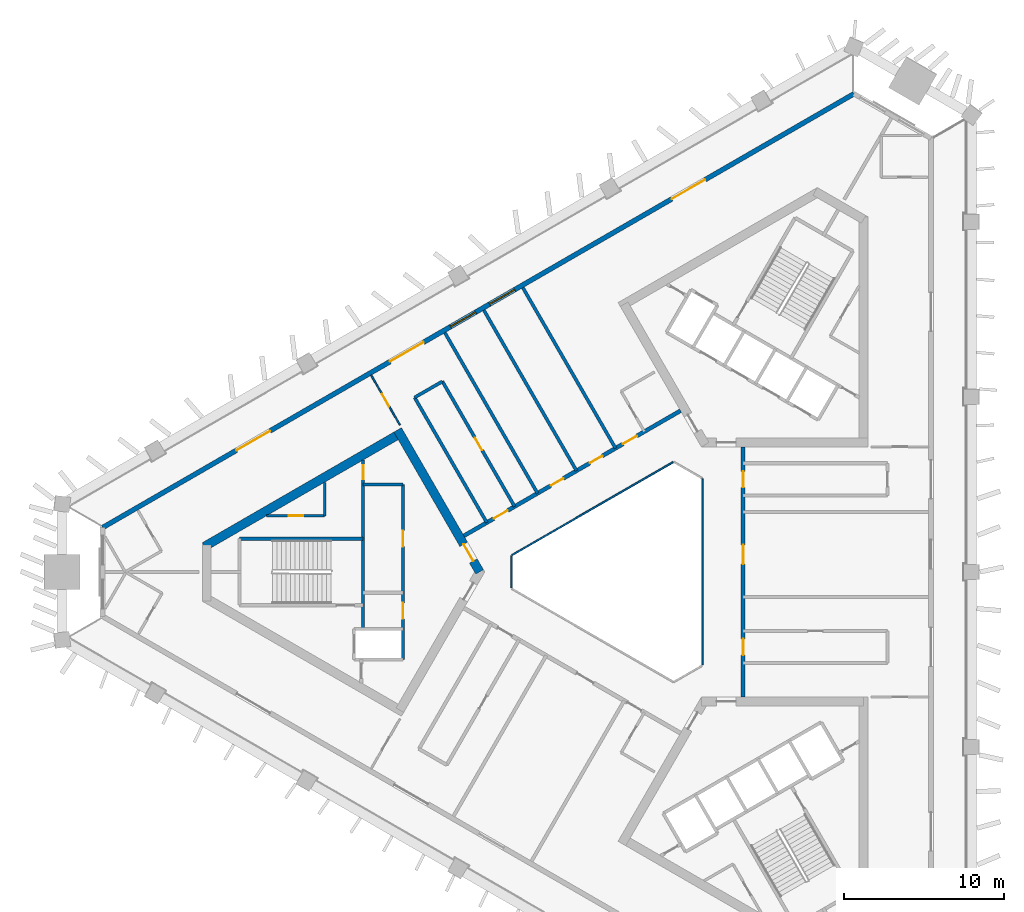
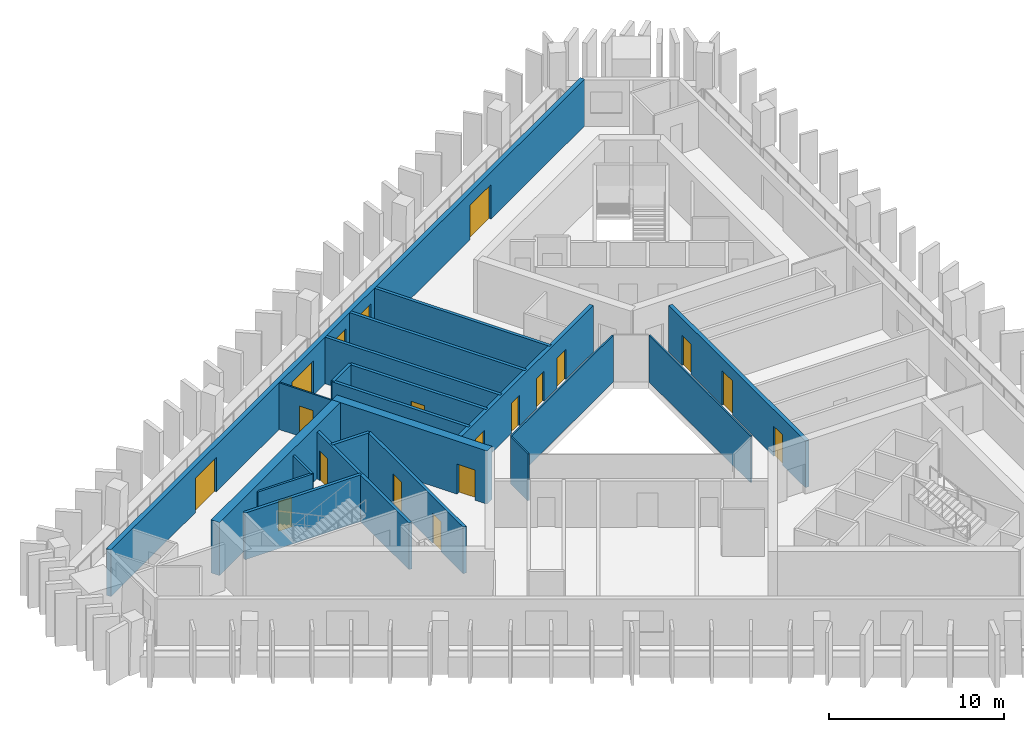
# One storey, part 4 of 10: 21 walls, 17 doors, 2 windows, 19 openings.
"""IFC4 building model written with IfcOpenShell, lengths in metres."""

from ifc_helpers import new_model, si_unit, direction, frame, frame_2d, origin, place, context, subcontext, project, spatial, rectangle, extrude, material, layer, layer_set, type_object, element, fill, save


model = new_model("IFC4")

# Units and contexts
model_context = context("Model", 3, precision=1e-05, world=origin(), true_north=direction((0.0, 1.0)))
body_context = subcontext(model_context, "Body", "Model", "MODEL_VIEW")
ifc_project = project(units=[si_unit("LENGTHUNIT", "METRE"), si_unit("AREAUNIT", "SQUARE_METRE"), si_unit("VOLUMEUNIT", "CUBIC_METRE"), si_unit("PLANEANGLEUNIT", "RADIAN"), si_unit("MASSUNIT", "GRAM", prefix="KILO")], contexts=[model_context])

# Site, building, storey
site_placement = place(None, origin())
site = spatial("IfcSite", under=ifc_project, at=site_placement, CompositionType="ELEMENT")
building_placement = place(site_placement, origin())
building = spatial("IfcBuilding", under=site, at=building_placement, Name="Jabali Bay Hotel Tower and Convention Centre", CompositionType="ELEMENT")
storey_placement = place(building_placement, frame((0.0, 0.0, 163.699951171875)))
storey = spatial("IfcBuildingStorey", under=building, at=storey_placement, Name="L39", CompositionType="ELEMENT", Elevation=163.699951171875)

# Walls
ifc_material_1 = material(Name="Fire-resistant glazing", Category="glass")
ifc_layer_1 = layer(ifc_material_1, 0.10009765625)
ifc_layer_set_1 = layer_set([ifc_layer_1], Name="Fire-resistant glazing")
wall_type_1 = type_object("IfcWallType", Name="Atrium glazed screen 100", PredefinedType="PARTITIONING", material=ifc_layer_set_1)
for number, where, z_axis, x_axis, name in (
    (1, (79.56005859375, 74.205810546875, 0.0), (0.0, 0.0, 1.0), (0.0, 1.0, 0.0), "Atrium screen 1 L39"),
    (2, (77.738037109375, 86.84619140625, 0.0), (0.0, 0.0, 1.0), (-0.866026658274, -0.499997827154, 0.0), "Atrium screen 3 L39"),
):
    element("IfcWall", number, at=place(storey_placement, frame(where, z_axis=z_axis, x_axis=x_axis)), inside=storey, type_object=wall_type_1, Name=name, PredefinedType="PARTITIONING", context=body_context, shape_type="SweptSolid", body=[
        extrude(rectangle(XDim=11.58837890625, YDim=0.10009765625, at=frame_2d((5.794189453125, 0.0))), origin(), (0.0, 0.0, 1.0), 3.25),
    ])
wall_1_placement = place(storey_placement, frame((67.672119140625, 81.0, 0.0), z_axis=(0.0, 0.0, 1.0), x_axis=(0.0, -1.0, 0.0)))
element("IfcWall", 3, at=wall_1_placement, inside=storey, type_object=wall_type_1, Name="Atrium screen 4 L39", PredefinedType="PARTITIONING", context=body_context, shape_type="SweptSolid", body=[
    extrude(rectangle(XDim=2.0, YDim=0.10009765625, at=frame_2d((1.0, 0.0))), origin(), (0.0, 0.0, 1.0), 3.25),
])

# Wall, opening, door
ifc_material_2 = material(Name="Fire-rated board partition")
ifc_layer_2 = layer(ifc_material_2, 0.14990234375)
ifc_layer_set_2 = layer_set([ifc_layer_2], Name="Fire-rated board partition")
wall_type_2 = type_object("IfcWallType", Name="Core room partition 150", PredefinedType="PARTITIONING", material=ifc_layer_set_2)
wall_2_placement = place(storey_placement, frame((56.02001953125, 83.5, 0.0), z_axis=(0.0, 0.0, 1.0), x_axis=(-1.0, 0.0, 0.0)))
wall_2 = element("IfcWall", 4, at=wall_2_placement, inside=storey, type_object=wall_type_2, Name="Core wall 0.1 L39", PredefinedType="PARTITIONING", context=body_context, shape_type="SweptSolid", body=[
    extrude(rectangle(XDim=3.617919921875, YDim=0.14990234375, at=frame_2d((1.80908203125, 0.0))), origin(), (0.0, 0.0, 1.0), 3.25),
])
opening_1_placement = place(wall_2_placement, frame((1.33154296875, 0.0, 0.0)))
opening_1 = element("IfcOpeningElement", 5, at=opening_1_placement, cuts=wall_2, Name="Opening D852", PredefinedType="OPENING", context=body_context, shape_type="SweptSolid", body=[
    extrude(rectangle(XDim=0.89990234375, YDim=2.10009765625, at=frame_2d((0.449951171875, 1.050048828125))), frame((0.0, 0.08544921875, 0.0), z_axis=(0.0, -1.0, 0.0), x_axis=(1.0, 0.0, 0.0)), (0.0, 0.0, 1.0), 0.1708984375),
])
ifc_material_3 = material(Name="Fire-rated steel door", Category="steel")
door_type_1 = type_object("IfcDoorType", Name="Core room door 900 x 2100", OperationType="NOTDEFINED", PredefinedType="NOTDEFINED", material=ifc_material_3)
door_1_placement = place(opening_1_placement, origin())
door_1 = element("IfcDoor", 6, at=door_1_placement, inside=storey, type_object=door_type_1, Name="Core room door D852", OperationType="SINGLE_SWING_LEFT", OverallHeight=2.10009765625, OverallWidth=0.89990234375, PredefinedType="NOTDEFINED", context=body_context, shape_type="SweptSolid", body=[
    extrude(rectangle(XDim=0.89990234375, YDim=2.10009765625, at=frame_2d((0.449951171875, 1.050048828125))), frame((0.0, 0.02490234375, 0.0), z_axis=(0.0, -1.0, 0.0), x_axis=(1.0, 0.0, 0.0)), (0.0, 0.0, 1.0), 0.050048828125),
])
fill(opening_1, door_1)

# Walls
wall_3_placement = place(storey_placement, frame((56.02001953125, 85.5888671875, 0.0), z_axis=(0.0, 0.0, 1.0), x_axis=(0.0, -1.0, 0.0)))
element("IfcWall", 7, at=wall_3_placement, inside=storey, type_object=wall_type_2, Name="Core wall 0.12 L39", PredefinedType="PARTITIONING", context=body_context, shape_type="SweptSolid", body=[
    extrude(rectangle(XDim=2.0888671875, YDim=0.14990234375, at=frame_2d((1.04443359375, 0.0))), origin(), (0.0, 0.0, 1.0), 3.25),
])
ifc_material_4 = material(Name="Concrete C40", Category="concrete")
ifc_layer_3 = layer(ifc_material_4, 0.199951171875)
ifc_layer_set_3 = layer_set([ifc_layer_3], Name="Concrete C40")
wall_type_3 = type_object("IfcWallType", Name="Core stair wall 200", PredefinedType="SOLIDWALL", material=ifc_layer_set_3)
wall_4_placement = place(storey_placement, frame((60.89990234375, 85.449951171875, 0.0), z_axis=(0.0, 0.0, 1.0), x_axis=(-1.0, 0.0, 0.0)))
element("IfcWall", 8, at=wall_4_placement, inside=storey, type_object=wall_type_3, Name="Core wall 0.0 L39", PredefinedType="SOLIDWALL", context=body_context, shape_type="SweptSolid", body=[
    extrude(rectangle(XDim=2.47998046875, YDim=0.199951171875, at=frame_2d((1.239990234375, 0.0))), origin(), (0.0, 0.0, 1.0), 3.25),
])
wall_5_placement = place(storey_placement, frame((58.419921875, 82.074951171875, 0.0), z_axis=(0.0, 0.0, 1.0), x_axis=(-1.0, 0.0, 0.0)))
element("IfcWall", 9, at=wall_5_placement, inside=storey, type_object=wall_type_3, Name="Core wall 0.2 L39", PredefinedType="SOLIDWALL", context=body_context, shape_type="SweptSolid", body=[
    extrude(rectangle(XDim=7.699951171875, YDim=0.199951171875, at=frame_2d((3.85009765625, 0.0))), origin(), (0.0, 0.0, 1.0), 3.25),
])

# Wall, openings, doors
wall_6_placement = place(storey_placement, frame((60.89990234375, 85.449951171875, 0.0), z_axis=(0.0, 0.0, 1.0), x_axis=(0.0, -1.0, 0.0)))
wall_6 = element("IfcWall", 10, at=wall_6_placement, inside=storey, type_object=wall_type_3, Name="Core wall 0.8 L39", PredefinedType="SOLIDWALL", context=body_context, shape_type="SweptSolid", body=[
    extrude(rectangle(XDim=10.89990234375, YDim=0.199951171875, at=frame_2d((5.449951171875, 0.0))), origin(), (0.0, 0.0, 1.0), 3.25),
])
opening_2_placement = place(wall_6_placement, frame((2.875, 0.0, 0.0)))
opening_2 = element("IfcOpeningElement", 11, at=opening_2_placement, cuts=wall_6, Name="Opening D847", PredefinedType="OPENING", context=body_context, shape_type="SweptSolid", body=[
    extrude(rectangle(XDim=1.0, YDim=2.10009765625, at=frame_2d((0.5, 1.050048828125))), frame((0.0, 0.1103515625, 0.0), z_axis=(0.0, -1.0, 0.0), x_axis=(1.0, 0.0, 0.0)), (0.0, 0.0, 1.0), 0.220947265625),
])
opening_3_placement = place(wall_6_placement, frame((7.375, 0.0, 0.0)))
opening_3 = element("IfcOpeningElement", 12, at=opening_3_placement, cuts=wall_6, Name="Opening D848", PredefinedType="OPENING", context=body_context, shape_type="SweptSolid", body=[
    extrude(rectangle(XDim=1.0, YDim=2.10009765625, at=frame_2d((0.5, 1.050048828125))), frame((0.0, 0.1103515625, 0.0), z_axis=(0.0, -1.0, 0.0), x_axis=(1.0, 0.0, 0.0)), (0.0, 0.0, 1.0), 0.220947265625),
])
door_type_2 = type_object("IfcDoorType", Name="Core room door 1000 x 2100", OperationType="NOTDEFINED", PredefinedType="NOTDEFINED", material=ifc_material_3)
door_2_placement = place(opening_2_placement, origin())
door_2 = element("IfcDoor", 13, at=door_2_placement, inside=storey, type_object=door_type_2, Name="Core room door D847", OperationType="SINGLE_SWING_RIGHT", OverallHeight=2.10009765625, OverallWidth=1.0, PredefinedType="NOTDEFINED", context=body_context, shape_type="SweptSolid", body=[
    extrude(rectangle(XDim=1.0, YDim=2.10009765625, at=frame_2d((0.5, 1.050048828125))), frame((0.0, 0.02490234375, 0.0), z_axis=(0.0, -1.0, 0.0), x_axis=(1.0, 0.0, 0.0)), (0.0, 0.0, 1.0), 0.050048828125),
])
fill(opening_2, door_2)
door_3_placement = place(opening_3_placement, origin())
door_3 = element("IfcDoor", 14, at=door_3_placement, inside=storey, type_object=door_type_2, Name="Core room door D848", OperationType="SINGLE_SWING_RIGHT", OverallHeight=2.10009765625, OverallWidth=1.0, PredefinedType="NOTDEFINED", context=body_context, shape_type="SweptSolid", body=[
    extrude(rectangle(XDim=1.0, YDim=2.10009765625, at=frame_2d((0.5, 1.050048828125))), frame((0.0, 0.02490234375, 0.0), z_axis=(0.0, -1.0, 0.0), x_axis=(1.0, 0.0, 0.0)), (0.0, 0.0, 1.0), 0.050048828125),
])
fill(opening_3, door_3)

# Wall, opening, door
wall_7_placement = place(storey_placement, frame((58.419921875, 86.974365234375, 0.0), z_axis=(0.0, 0.0, 1.0), x_axis=(0.0, -1.0, 0.0)))
wall_7 = element("IfcWall", 15, at=wall_7_placement, inside=storey, type_object=wall_type_3, Name="Core wall 0.9 L39", PredefinedType="SOLIDWALL", context=body_context, shape_type="SweptSolid", body=[
    extrude(rectangle(XDim=10.5244140625, YDim=0.199951171875, at=frame_2d((5.26220703125, 0.0))), origin(), (0.0, 0.0, 1.0), 3.25),
])
opening_4_placement = place(wall_7_placement, frame((0.312255859375, 0.0, 0.0)))
opening_4 = element("IfcOpeningElement", 16, at=opening_4_placement, cuts=wall_7, Name="Opening D850", PredefinedType="OPENING", context=body_context, shape_type="SweptSolid", body=[
    extrude(rectangle(XDim=0.89990234375, YDim=2.10009765625, at=frame_2d((0.449951171875, 1.050048828125))), frame((0.0, 0.1103515625, 0.0), z_axis=(0.0, -1.0, 0.0), x_axis=(1.0, 0.0, 0.0)), (0.0, 0.0, 1.0), 0.220947265625),
])
door_type_3 = type_object("IfcDoorType", Name="Vestibule fire door 900 x 2100", OperationType="NOTDEFINED", PredefinedType="NOTDEFINED", material=ifc_material_3)
door_4_placement = place(opening_4_placement, origin())
door_4 = element("IfcDoor", 17, at=door_4_placement, inside=storey, type_object=door_type_3, Name="Vestibule fire door D850", OperationType="SINGLE_SWING_LEFT", OverallHeight=2.10009765625, OverallWidth=0.89990234375, PredefinedType="NOTDEFINED", context=body_context, shape_type="SweptSolid", body=[
    extrude(rectangle(XDim=0.89990234375, YDim=2.10009765625, at=frame_2d((0.449951171875, 1.050048828125))), frame((0.0, 0.02490234375, 0.0), z_axis=(0.0, -1.0, 0.0), x_axis=(1.0, 0.0, 0.0)), (0.0, 0.0, 1.0), 0.050048828125),
])
fill(opening_4, door_4)

ifc_material_5 = material(Name="Concrete C60", Category="concrete")
ifc_layer_4 = layer(ifc_material_5, 0.550048828125)
ifc_layer_set_4 = layer_set([ifc_layer_4], Name="Concrete C60")
wall_type_4 = type_object("IfcWallType", Name="Core wall 550", PredefinedType="SHEAR", material=ifc_layer_set_4)
wall_8_placement = place(storey_placement, frame((65.682373046875, 80.0, 0.0), z_axis=(0.0, 0.0, 1.0), x_axis=(-0.500000202252, 0.866025287014, 0.0)))
wall_8 = element("IfcWall", 18, at=wall_8_placement, inside=storey, type_object=wall_type_4, Name="Core wall 1.1 L39", PredefinedType="SHEAR", context=body_context, shape_type="SweptSolid", body=[
    extrude(rectangle(XDim=10.22119140625, YDim=0.550048828125, at=frame_2d((5.110595703125, 0.0))), origin(), (0.0, 0.0, 1.0), 3.699951171875),
])
opening_5_placement = place(wall_8_placement, frame((0.791259765625, 0.0, 0.0)))
opening_5 = element("IfcOpeningElement", 19, at=opening_5_placement, cuts=wall_8, Name="Opening D845", PredefinedType="OPENING", context=body_context, shape_type="SweptSolid", body=[
    extrude(rectangle(XDim=1.199951171875, YDim=2.10009765625, at=frame_2d((0.60009765625, 1.050048828125))), frame((0.0, 0.28564453125, 0.0), z_axis=(0.0, -1.0, 0.0), x_axis=(1.0, 0.0, 0.0)), (0.0, 0.0, 1.0), 0.571044921875),
])
door_type_4 = type_object("IfcDoorType", Name="Corridor end fire door 1200 x 2100", OperationType="NOTDEFINED", PredefinedType="NOTDEFINED", material=ifc_material_3)
door_5_placement = place(opening_5_placement, origin())
door_5 = element("IfcDoor", 20, at=door_5_placement, inside=storey, type_object=door_type_4, Name="Corridor end fire door D845", OperationType="SINGLE_SWING_RIGHT", OverallHeight=2.10009765625, OverallWidth=1.199951171875, PredefinedType="NOTDEFINED", context=body_context, shape_type="SweptSolid", body=[
    extrude(rectangle(XDim=1.199951171875, YDim=2.10009765625, at=frame_2d((0.60009765625, 1.050048828125))), frame((0.0, 0.02490234375, 0.0), z_axis=(0.0, -1.0, 0.0), x_axis=(1.0, 0.0, 0.0)), (0.0, 0.0, 1.0), 0.050048828125),
])
fill(opening_5, door_5)

# Wall
wall_9_placement = place(storey_placement, frame((60.709228515625, 88.61376953125, 0.0), z_axis=(0.0, 0.0, 1.0), x_axis=(-0.866020164116, -0.500009075263, 0.0)))
element("IfcWall", 21, at=wall_9_placement, inside=storey, type_object=wall_type_4, Name="Core wall 1.2 L39", PredefinedType="SHEAR", context=body_context, shape_type="SweptSolid", body=[
    extrude(rectangle(XDim=14.058349609375, YDim=0.550048828125, at=frame_2d((7.029296875, 0.0))), origin(), (0.0, 0.0, 1.0), 3.699951171875),
])

# Wall, openings, doors
ifc_layer_5 = layer(ifc_material_5, 0.25)
ifc_layer_set_5 = layer_set([ifc_layer_5], Name="Concrete C60")
wall_type_5 = type_object("IfcWallType", Name="Corridor wall 250", PredefinedType="SHEAR", material=ifc_layer_set_5)
wall_10_placement = place(storey_placement, frame((82.10009765625, 72.205810546875, 0.0), z_axis=(0.0, 0.0, 1.0), x_axis=(0.0, 1.0, 0.0)))
wall_10 = element("IfcWall", 22, at=wall_10_placement, inside=storey, type_object=wall_type_5, Name="Corridor wall 1 L39", PredefinedType="SHEAR", context=body_context, shape_type="SweptSolid", body=[
    extrude(rectangle(XDim=15.58837890625, YDim=0.25, at=frame_2d((7.794189453125, 0.0))), origin(), (0.0, 0.0, 1.0), 3.25),
])
opening_6_placement = place(wall_10_placement, frame((2.61767578125, 0.0, 0.0)))
opening_6 = element("IfcOpeningElement", 23, at=opening_6_placement, cuts=wall_10, Name="Opening 3901", PredefinedType="OPENING", context=body_context, shape_type="SweptSolid", body=[
    extrude(rectangle(XDim=1.0, YDim=2.10009765625, at=frame_2d((0.5, 1.050048828125))), frame((0.0, 0.135498046875, 0.0), z_axis=(0.0, -1.0, 0.0), x_axis=(1.0, 0.0, 0.0)), (0.0, 0.0, 1.0), 0.27099609375),
])
opening_7_placement = place(wall_10_placement, frame((8.285400390625, 0.0, 0.0)))
opening_7 = element("IfcOpeningElement", 24, at=opening_7_placement, cuts=wall_10, Name="Opening 3905", PredefinedType="OPENING", context=body_context, shape_type="SweptSolid", body=[
    extrude(rectangle(XDim=1.199951171875, YDim=2.39990234375, at=frame_2d((0.60009765625, 1.199951171875))), frame((0.0, 0.135498046875, 0.0), z_axis=(0.0, -1.0, 0.0), x_axis=(1.0, 0.0, 0.0)), (0.0, 0.0, 1.0), 0.27099609375),
])
opening_8_placement = place(wall_10_placement, frame((13.06201171875, 0.0, 0.0)))
opening_8 = element("IfcOpeningElement", 25, at=opening_8_placement, cuts=wall_10, Name="Opening 3906", PredefinedType="OPENING", context=body_context, shape_type="SweptSolid", body=[
    extrude(rectangle(XDim=1.0, YDim=2.10009765625, at=frame_2d((0.5, 1.050048828125))), frame((0.0, 0.135498046875, 0.0), z_axis=(0.0, -1.0, 0.0), x_axis=(1.0, 0.0, 0.0)), (0.0, 0.0, 1.0), 0.27099609375),
])
ifc_material_6 = material(Name="Timber", Category="wood")
door_type_5 = type_object("IfcDoorType", Name="Guest room door 1000 x 2100", OperationType="NOTDEFINED", PredefinedType="NOTDEFINED", material=ifc_material_6)
door_6_placement = place(opening_6_placement, origin())
door_6 = element("IfcDoor", 26, at=door_6_placement, inside=storey, type_object=door_type_5, Name="Door 3901", OperationType="SINGLE_SWING_LEFT", OverallHeight=2.10009765625, OverallWidth=1.0, PredefinedType="NOTDEFINED", context=body_context, shape_type="SweptSolid", body=[
    extrude(rectangle(XDim=1.0, YDim=2.10009765625, at=frame_2d((0.5, 1.050048828125))), frame((0.0, 0.02490234375, 0.0), z_axis=(0.0, -1.0, 0.0), x_axis=(1.0, 0.0, 0.0)), (0.0, 0.0, 1.0), 0.050048828125),
])
fill(opening_6, door_6)
door_7_placement = place(opening_8_placement, origin())
door_7 = element("IfcDoor", 27, at=door_7_placement, inside=storey, type_object=door_type_5, Name="Door 3906", OperationType="SINGLE_SWING_RIGHT", OverallHeight=2.10009765625, OverallWidth=1.0, PredefinedType="NOTDEFINED", context=body_context, shape_type="SweptSolid", body=[
    extrude(rectangle(XDim=1.0, YDim=2.10009765625, at=frame_2d((0.5, 1.050048828125))), frame((0.0, 0.02490234375, 0.0), z_axis=(0.0, -1.0, 0.0), x_axis=(1.0, 0.0, 0.0)), (0.0, 0.0, 1.0), 0.050048828125),
])
fill(opening_8, door_7)
door_type_6 = type_object("IfcDoorType", Name="Public room door 1200 x 2400", OperationType="NOTDEFINED", PredefinedType="NOTDEFINED", material=ifc_material_6)
door_8_placement = place(opening_7_placement, origin())
door_8 = element("IfcDoor", 28, at=door_8_placement, inside=storey, type_object=door_type_6, Name="Door 3905", OperationType="SINGLE_SWING_RIGHT", OverallHeight=2.39990234375, OverallWidth=1.199951171875, PredefinedType="NOTDEFINED", context=body_context, shape_type="SweptSolid", body=[
    extrude(rectangle(XDim=1.199951171875, YDim=2.39990234375, at=frame_2d((0.60009765625, 1.199951171875))), frame((0.0, 0.02490234375, 0.0), z_axis=(0.0, -1.0, 0.0), x_axis=(1.0, 0.0, 0.0)), (0.0, 0.0, 1.0), 0.050048828125),
])
fill(opening_7, door_8)

wall_11_placement = place(storey_placement, frame((78.199951171875, 90.0458984375, 0.0), z_axis=(0.0, 0.0, 1.0), x_axis=(-0.866026492143, -0.499998114903, 0.0)))
wall_11 = element("IfcWall", 29, at=wall_11_placement, inside=storey, type_object=wall_type_5, Name="Corridor wall 2 L39", PredefinedType="SHEAR", context=body_context, shape_type="SweptSolid", body=[
    extrude(rectangle(XDim=15.58837890625, YDim=0.25, at=frame_2d((7.794189453125, 0.0))), origin(), (0.0, 0.0, 1.0), 3.25),
])
opening_9_placement = place(wall_11_placement, frame((3.13818359375, 0.0, 0.0)))
opening_9 = element("IfcOpeningElement", 30, at=opening_9_placement, cuts=wall_11, Name="Opening 3911", PredefinedType="OPENING", context=body_context, shape_type="SweptSolid", body=[
    extrude(rectangle(XDim=1.0, YDim=2.10009765625, at=frame_2d((0.5, 1.050048828125))), frame((0.0, 0.135498046875, 0.0), z_axis=(0.0, -1.0, 0.0), x_axis=(1.0, 0.0, 0.0)), (0.0, 0.0, 1.0), 0.27099609375),
])
opening_10_placement = place(wall_11_placement, frame((5.62939453125, 0.0, 0.0)))
opening_10 = element("IfcOpeningElement", 31, at=opening_10_placement, cuts=wall_11, Name="Opening 3912", PredefinedType="OPENING", context=body_context, shape_type="SweptSolid", body=[
    extrude(rectangle(XDim=0.89990234375, YDim=2.10009765625, at=frame_2d((0.449951171875, 1.050048828125))), frame((0.0, 0.135498046875, 0.0), z_axis=(0.0, -1.0, 0.0), x_axis=(1.0, 0.0, 0.0)), (0.0, 0.0, 1.0), 0.27099609375),
])
opening_11_placement = place(wall_11_placement, frame((8.435302734375, 0.0, 0.0)))
opening_11 = element("IfcOpeningElement", 32, at=opening_11_placement, cuts=wall_11, Name="Opening 3913", PredefinedType="OPENING", context=body_context, shape_type="SweptSolid", body=[
    extrude(rectangle(XDim=0.89990234375, YDim=2.10009765625, at=frame_2d((0.449951171875, 1.050048828125))), frame((0.0, 0.135498046875, 0.0), z_axis=(0.0, -1.0, 0.0), x_axis=(1.0, 0.0, 0.0)), (0.0, 0.0, 1.0), 0.27099609375),
])
opening_12_placement = place(wall_11_placement, frame((12.4384765625, 0.0, 0.0)))
opening_12 = element("IfcOpeningElement", 33, at=opening_12_placement, cuts=wall_11, Name="Opening 3914", PredefinedType="OPENING", context=body_context, shape_type="SweptSolid", body=[
    extrude(rectangle(XDim=1.0, YDim=2.10009765625, at=frame_2d((0.5, 1.050048828125))), frame((0.0, 0.135498046875, 0.0), z_axis=(0.0, -1.0, 0.0), x_axis=(1.0, 0.0, 0.0)), (0.0, 0.0, 1.0), 0.27099609375),
])
door_9_placement = place(opening_9_placement, origin())
door_9 = element("IfcDoor", 34, at=door_9_placement, inside=storey, type_object=door_type_5, Name="Door 3911", OperationType="SINGLE_SWING_LEFT", OverallHeight=2.10009765625, OverallWidth=1.0, PredefinedType="NOTDEFINED", context=body_context, shape_type="SweptSolid", body=[
    extrude(rectangle(XDim=1.0, YDim=2.10009765625, at=frame_2d((0.5, 1.050048828125))), frame((0.0, 0.02490234375, 0.0), z_axis=(0.0, -1.0, 0.0), x_axis=(1.0, 0.0, 0.0)), (0.0, 0.0, 1.0), 0.050048828125),
])
fill(opening_9, door_9)
door_10_placement = place(opening_12_placement, origin())
door_10 = element("IfcDoor", 35, at=door_10_placement, inside=storey, type_object=door_type_5, Name="Door 3914", OperationType="SINGLE_SWING_RIGHT", OverallHeight=2.10009765625, OverallWidth=1.0, PredefinedType="NOTDEFINED", context=body_context, shape_type="SweptSolid", body=[
    extrude(rectangle(XDim=1.0, YDim=2.10009765625, at=frame_2d((0.5, 1.050048828125))), frame((0.0, 0.02490234375, 0.0), z_axis=(0.0, -1.0, 0.0), x_axis=(1.0, 0.0, 0.0)), (0.0, 0.0, 1.0), 0.050048828125),
])
fill(opening_12, door_10)
door_type_7 = type_object("IfcDoorType", Name="Internal door 900 x 2100", OperationType="NOTDEFINED", PredefinedType="NOTDEFINED", material=ifc_material_6)
door_11_placement = place(opening_10_placement, origin())
door_11 = element("IfcDoor", 36, at=door_11_placement, inside=storey, type_object=door_type_7, Name="Door 3912", OperationType="SINGLE_SWING_LEFT", OverallHeight=2.10009765625, OverallWidth=0.89990234375, PredefinedType="NOTDEFINED", context=body_context, shape_type="SweptSolid", body=[
    extrude(rectangle(XDim=0.89990234375, YDim=2.10009765625, at=frame_2d((0.449951171875, 1.050048828125))), frame((0.0, 0.02490234375, 0.0), z_axis=(0.0, -1.0, 0.0), x_axis=(1.0, 0.0, 0.0)), (0.0, 0.0, 1.0), 0.050048828125),
])
fill(opening_10, door_11)
door_12_placement = place(opening_11_placement, origin())
door_12 = element("IfcDoor", 37, at=door_12_placement, inside=storey, type_object=door_type_7, Name="Door 3913", OperationType="SINGLE_SWING_RIGHT", OverallHeight=2.10009765625, OverallWidth=0.89990234375, PredefinedType="NOTDEFINED", context=body_context, shape_type="SweptSolid", body=[
    extrude(rectangle(XDim=0.89990234375, YDim=2.10009765625, at=frame_2d((0.449951171875, 1.050048828125))), frame((0.0, 0.02490234375, 0.0), z_axis=(0.0, -1.0, 0.0), x_axis=(1.0, 0.0, 0.0)), (0.0, 0.0, 1.0), 0.050048828125),
])
fill(opening_11, door_12)

# Wall, openings, doors, windows
ifc_layer_6 = layer(ifc_material_4, 0.300048828125)
ifc_layer_set_6 = layer_set([ifc_layer_6], Name="Concrete C40")
wall_type_6 = type_object("IfcWallType", Name="External wall 300", PredefinedType="SOLIDWALL", material=ifc_layer_set_6)
wall_12_placement = place(storey_placement, frame((42.18896484375, 82.765869140625, 0.0), z_axis=(0.0, 0.0, 1.0), x_axis=(0.866025862562, 0.499999205373, 0.0)))
wall_12 = element("IfcWall", 38, at=wall_12_placement, inside=storey, type_object=wall_type_6, Name="External wall north-west face L39", PredefinedType="SOLIDWALL", context=body_context, shape_type="SweptSolid", body=[
    extrude(rectangle(XDim=54.064453125, YDim=0.300048828125, at=frame_2d((27.0322265625, 0.0))), origin(), (0.0, 0.0, 1.0), 3.25),
])
opening_13_placement = place(wall_12_placement, frame((20.68798828125, 0.0, 0.0)))
opening_13 = element("IfcOpeningElement", 39, at=opening_13_placement, cuts=wall_12, Name="Opening SD1", PredefinedType="OPENING", context=body_context, shape_type="SweptSolid", body=[
    extrude(rectangle(XDim=2.39990234375, YDim=2.39990234375, at=frame_2d((1.199951171875, 1.199951171875))), frame((0.0, 0.16064453125, 0.0), z_axis=(0.0, -1.0, 0.0), x_axis=(1.0, 0.0, 0.0)), (0.0, 0.0, 1.0), 0.321044921875),
])
opening_14_placement = place(wall_12_placement, frame((9.629150390625, 0.0, 0.0)))
opening_14 = element("IfcOpeningElement", 40, at=opening_14_placement, cuts=wall_12, Name="Opening SD1", PredefinedType="OPENING", context=body_context, shape_type="SweptSolid", body=[
    extrude(rectangle(XDim=2.39990234375, YDim=2.39990234375, at=frame_2d((1.199951171875, 1.199951171875))), frame((0.0, 0.16064453125, 0.0), z_axis=(0.0, -1.0, 0.0), x_axis=(1.0, 0.0, 0.0)), (0.0, 0.0, 1.0), 0.321044921875),
])
opening_15_placement = place(wall_12_placement, frame((40.95068359375, 0.0, 0.0)))
opening_15 = element("IfcOpeningElement", 41, at=opening_15_placement, cuts=wall_12, Name="Opening SD1", PredefinedType="OPENING", context=body_context, shape_type="SweptSolid", body=[
    extrude(rectangle(XDim=2.39990234375, YDim=2.39990234375, at=frame_2d((1.199951171875, 1.199951171875))), frame((0.0, 0.16064453125, 0.0), z_axis=(0.0, -1.0, 0.0), x_axis=(1.0, 0.0, 0.0)), (0.0, 0.0, 1.0), 0.321044921875),
])
opening_16_placement = place(wall_12_placement, frame((27.846923828125, 0.0, 0.89990234375)))
opening_16 = element("IfcOpeningElement", 42, at=opening_16_placement, cuts=wall_12, Name="Opening W1", PredefinedType="OPENING", context=body_context, shape_type="SweptSolid", body=[
    extrude(rectangle(XDim=1.800048828125, YDim=1.5, at=frame_2d((0.89990234375, 0.75))), frame((0.0, 0.16064453125, 0.0), z_axis=(0.0, -1.0, 0.0), x_axis=(1.0, 0.0, 0.0)), (0.0, 0.0, 1.0), 0.321044921875),
])
opening_17_placement = place(wall_12_placement, frame((25.041015625, 0.0, 0.89990234375)))
opening_17 = element("IfcOpeningElement", 43, at=opening_17_placement, cuts=wall_12, Name="Opening W1", PredefinedType="OPENING", context=body_context, shape_type="SweptSolid", body=[
    extrude(rectangle(XDim=1.800048828125, YDim=1.5, at=frame_2d((0.89990234375, 0.75))), frame((0.0, 0.16064453125, 0.0), z_axis=(0.0, -1.0, 0.0), x_axis=(1.0, 0.0, 0.0)), (0.0, 0.0, 1.0), 0.321044921875),
])
ifc_material_7 = material(Name="Glass", Category="glass")
door_type_8 = type_object("IfcDoorType", Name="Loggia sliding door 2400 x 2400", OperationType="NOTDEFINED", PredefinedType="NOTDEFINED", material=ifc_material_7)
door_13_placement = place(opening_13_placement, origin())
door_13 = element("IfcDoor", 44, at=door_13_placement, inside=storey, type_object=door_type_8, Name="Loggia sliding door 3908", OperationType="SLIDING_TO_LEFT", OverallHeight=2.39990234375, OverallWidth=2.39990234375, PredefinedType="NOTDEFINED", context=body_context, shape_type="SweptSolid", body=[
    extrude(rectangle(XDim=2.39990234375, YDim=2.39990234375, at=frame_2d((1.199951171875, 1.199951171875))), frame((0.0, 0.02490234375, 0.0), z_axis=(0.0, -1.0, 0.0), x_axis=(1.0, 0.0, 0.0)), (0.0, 0.0, 1.0), 0.050048828125),
])
fill(opening_13, door_13)
door_14_placement = place(opening_14_placement, origin())
door_14 = element("IfcDoor", 45, at=door_14_placement, inside=storey, type_object=door_type_8, Name="Loggia sliding door 3908", OperationType="SLIDING_TO_RIGHT", OverallHeight=2.39990234375, OverallWidth=2.39990234375, PredefinedType="NOTDEFINED", context=body_context, shape_type="SweptSolid", body=[
    extrude(rectangle(XDim=2.39990234375, YDim=2.39990234375, at=frame_2d((1.199951171875, 1.199951171875))), frame((0.0, 0.02490234375, 0.0), z_axis=(0.0, -1.0, 0.0), x_axis=(1.0, 0.0, 0.0)), (0.0, 0.0, 1.0), 0.050048828125),
])
fill(opening_14, door_14)
door_15_placement = place(opening_15_placement, origin())
door_15 = element("IfcDoor", 46, at=door_15_placement, inside=storey, type_object=door_type_8, Name="Loggia sliding door 3905", OperationType="SLIDING_TO_LEFT", OverallHeight=2.39990234375, OverallWidth=2.39990234375, PredefinedType="NOTDEFINED", context=body_context, shape_type="SweptSolid", body=[
    extrude(rectangle(XDim=2.39990234375, YDim=2.39990234375, at=frame_2d((1.199951171875, 1.199951171875))), frame((0.0, 0.02490234375, 0.0), z_axis=(0.0, -1.0, 0.0), x_axis=(1.0, 0.0, 0.0)), (0.0, 0.0, 1.0), 0.050048828125),
])
fill(opening_15, door_15)
window_type = type_object("IfcWindowType", Name="Window 1800 x 1500", PartitioningType="SINGLE_PANEL", PredefinedType="WINDOW", material=ifc_material_7)
window_1_placement = place(opening_16_placement, origin())
window_1 = element("IfcWindow", 47, at=window_1_placement, inside=storey, type_object=window_type, Name="Window 3906", OverallHeight=1.5, OverallWidth=1.800048828125, PartitioningType="SINGLE_PANEL", PredefinedType="WINDOW", context=body_context, shape_type="SweptSolid", body=[
    extrude(rectangle(XDim=1.800048828125, YDim=1.5, at=frame_2d((0.89990234375, 0.75))), frame((0.0, 0.030029296875, 0.0), z_axis=(0.0, -1.0, 0.0), x_axis=(1.0, 0.0, 0.0)), (0.0, 0.0, 1.0), 0.06005859375),
])
fill(opening_16, window_1)
window_2_placement = place(opening_17_placement, origin())
window_2 = element("IfcWindow", 48, at=window_2_placement, inside=storey, type_object=window_type, Name="Window 3907", OverallHeight=1.5, OverallWidth=1.800048828125, PartitioningType="SINGLE_PANEL", PredefinedType="WINDOW", context=body_context, shape_type="SweptSolid", body=[
    extrude(rectangle(XDim=1.800048828125, YDim=1.5, at=frame_2d((0.89990234375, 0.75))), frame((0.0, 0.030029296875, 0.0), z_axis=(0.0, -1.0, 0.0), x_axis=(1.0, 0.0, 0.0)), (0.0, 0.0, 1.0), 0.06005859375),
])
fill(opening_17, window_2)

# Wall, opening, door
ifc_material_8 = material(Name="Plasterboard on steel stud", Category="steel")
ifc_layer_7 = layer(ifc_material_8, 0.10009765625)
ifc_layer_set_7 = layer_set([ifc_layer_7], Name="Plasterboard on steel stud")
wall_type_7 = type_object("IfcWallType", Name="Partition 100 unit", PredefinedType="PARTITIONING", material=ifc_layer_set_7)
wall_13_placement = place(storey_placement, frame((58.924072265625, 92.255859375, 0.0), z_axis=(0.0, 0.0, 1.0), x_axis=(0.4999827131, -0.866035384151, 0.0)))
wall_13 = element("IfcWall", 49, at=wall_13_placement, inside=storey, type_object=wall_type_7, Name="Partition P02 L39 024", PredefinedType="PARTITIONING", context=body_context, shape_type="SweptSolid", body=[
    extrude(rectangle(XDim=3.572998046875, YDim=0.10009765625, at=frame_2d((1.78662109375, 0.0))), origin(), (0.0, 0.0, 1.0), 3.25),
])
opening_18_placement = place(wall_13_placement, frame((1.3359375, 0.0, 0.0)))
opening_18 = element("IfcOpeningElement", 50, at=opening_18_placement, cuts=wall_13, Name="Opening 3915", PredefinedType="OPENING", context=body_context, shape_type="SweptSolid", body=[
    extrude(rectangle(XDim=0.89990234375, YDim=2.10009765625, at=frame_2d((0.449951171875, 1.050048828125))), frame((0.0, 0.060546875, 0.0), z_axis=(0.0, -1.0, 0.0), x_axis=(1.0, 0.0, 0.0)), (0.0, 0.0, 1.0), 0.12109375),
])
door_16_placement = place(opening_18_placement, origin())
door_16 = element("IfcDoor", 51, at=door_16_placement, inside=storey, type_object=door_type_7, Name="Door 3915", OperationType="SINGLE_SWING_LEFT", OverallHeight=2.10009765625, OverallWidth=0.89990234375, PredefinedType="NOTDEFINED", context=body_context, shape_type="SweptSolid", body=[
    extrude(rectangle(XDim=0.89990234375, YDim=2.10009765625, at=frame_2d((0.449951171875, 1.050048828125))), frame((0.0, 0.02490234375, 0.0), z_axis=(0.0, -1.0, 0.0), x_axis=(1.0, 0.0, 0.0)), (0.0, 0.0, 1.0), 0.050048828125),
])
fill(opening_18, door_16)

# Walls
ifc_layer_8 = layer(ifc_material_8, 0.199951171875)
ifc_layer_set_8 = layer_set([ifc_layer_8], Name="Plasterboard on steel stud")
wall_type_8 = type_object("IfcWallType", Name="Partition 200 party", PredefinedType="PARTITIONING", material=ifc_layer_set_8)
for number, where, z_axis, x_axis, name in (
    (52, (68.3740234375, 97.711669921875, 0.0), (0.0, 0.0, 1.0), (0.499998700539, -0.866026154027, 0.0), "Partition P01 L39 021"),
    (53, (65.944091796875, 96.308837890625, 0.0), (0.0, 0.0, 1.0), (0.499998700539, -0.866026154027, 0.0), "Partition P01 L39 022"),
    (54, (63.51416015625, 94.90576171875, 0.0), (0.0, 0.0, 1.0), (0.499998700539, -0.866026154027, 0.0), "Partition P01 L39 023"),
):
    element("IfcWall", number, at=place(storey_placement, frame(where, z_axis=z_axis, x_axis=x_axis)), inside=storey, type_object=wall_type_8, Name=name, PredefinedType="PARTITIONING", context=body_context, shape_type="SweptSolid", body=[
        extrude(rectangle(XDim=11.5517578125, YDim=0.199951171875, at=frame_2d((5.77587890625, 0.0))), origin(), (0.0, 0.0, 1.0), 3.25),
    ])
wall_14_placement = place(storey_placement, frame((66.12890625, 83.07666015625, 0.0), z_axis=(0.0, 0.0, 1.0), x_axis=(-0.5000018851, 0.866024315419, 0.0)))
element("IfcWall", 55, at=wall_14_placement, inside=storey, type_object=wall_type_8, Name="Partition P01 L39 025", PredefinedType="PARTITIONING", context=body_context, shape_type="SweptSolid", body=[
    extrude(rectangle(XDim=9.0, YDim=0.199951171875, at=frame_2d((4.5, 0.0))), origin(), (0.0, 0.0, 1.0), 3.25),
])
wall_15_placement = place(storey_placement, frame((61.62890625, 90.870849609375, 0.0), z_axis=(0.0, 0.0, 1.0), x_axis=(0.866041268327, 0.499972520799, 0.0)))
element("IfcWall", 56, at=wall_15_placement, inside=storey, type_object=wall_type_8, Name="Partition P01 L39 026", PredefinedType="PARTITIONING", context=body_context, shape_type="SweptSolid", body=[
    extrude(rectangle(XDim=2.0, YDim=0.199951171875, at=frame_2d((1.0, 0.0))), origin(), (0.0, 0.0, 1.0), 3.25),
])

# Wall, opening, door
wall_16_placement = place(storey_placement, frame((63.361083984375, 91.870849609375, 0.0), z_axis=(0.0, 0.0, 1.0), x_axis=(0.5000018851, -0.866024315419, 0.0)))
wall_16 = element("IfcWall", 57, at=wall_16_placement, inside=storey, type_object=wall_type_8, Name="Partition P01 L39 027", PredefinedType="PARTITIONING", context=body_context, shape_type="SweptSolid", body=[
    extrude(rectangle(XDim=9.0, YDim=0.199951171875, at=frame_2d((4.5, 0.0))), origin(), (0.0, 0.0, 1.0), 3.25),
])
opening_19_placement = place(wall_16_placement, frame((4.050048828125, 0.0, 0.0)))
opening_19 = element("IfcOpeningElement", 58, at=opening_19_placement, cuts=wall_16, Name="Opening 3917", PredefinedType="OPENING", context=body_context, shape_type="SweptSolid", body=[
    extrude(rectangle(XDim=0.89990234375, YDim=2.10009765625, at=frame_2d((0.449951171875, 1.050048828125))), frame((0.0, 0.1103515625, 0.0), z_axis=(0.0, -1.0, 0.0), x_axis=(1.0, 0.0, 0.0)), (0.0, 0.0, 1.0), 0.220947265625),
])
door_17_placement = place(opening_19_placement, origin())
door_17 = element("IfcDoor", 59, at=door_17_placement, inside=storey, type_object=door_type_7, Name="Door 3917", OperationType="SINGLE_SWING_RIGHT", OverallHeight=2.10009765625, OverallWidth=0.89990234375, PredefinedType="NOTDEFINED", context=body_context, shape_type="SweptSolid", body=[
    extrude(rectangle(XDim=0.89990234375, YDim=2.10009765625, at=frame_2d((0.449951171875, 1.050048828125))), frame((0.0, 0.02490234375, 0.0), z_axis=(0.0, -1.0, 0.0), x_axis=(1.0, 0.0, 0.0)), (0.0, 0.0, 1.0), 0.050048828125),
])
fill(opening_19, door_17)

save(model, "model.ifc")
